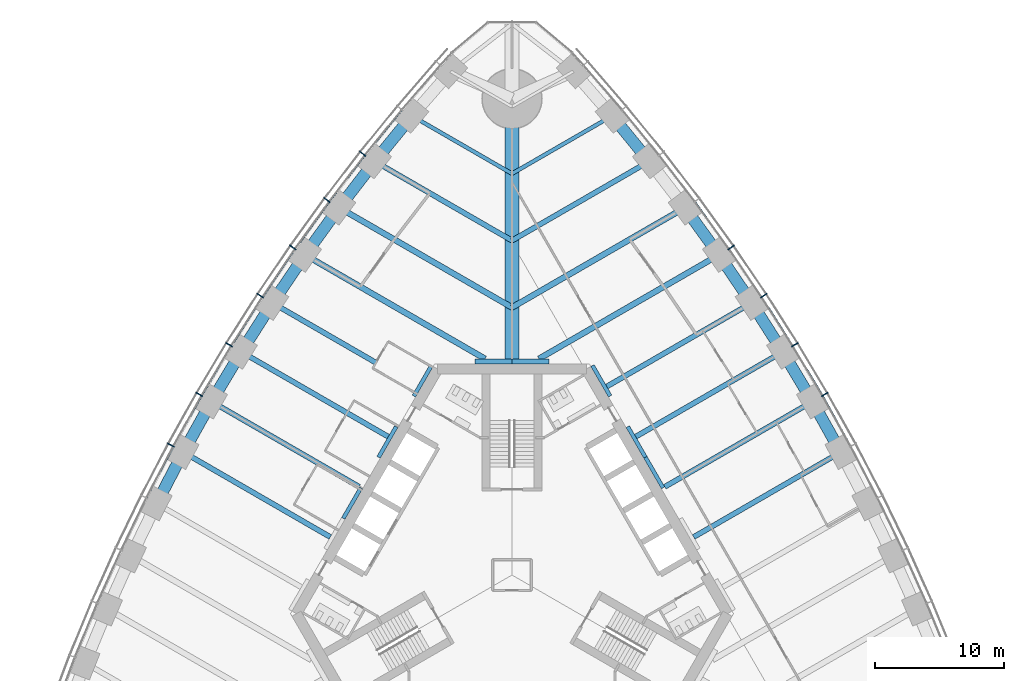
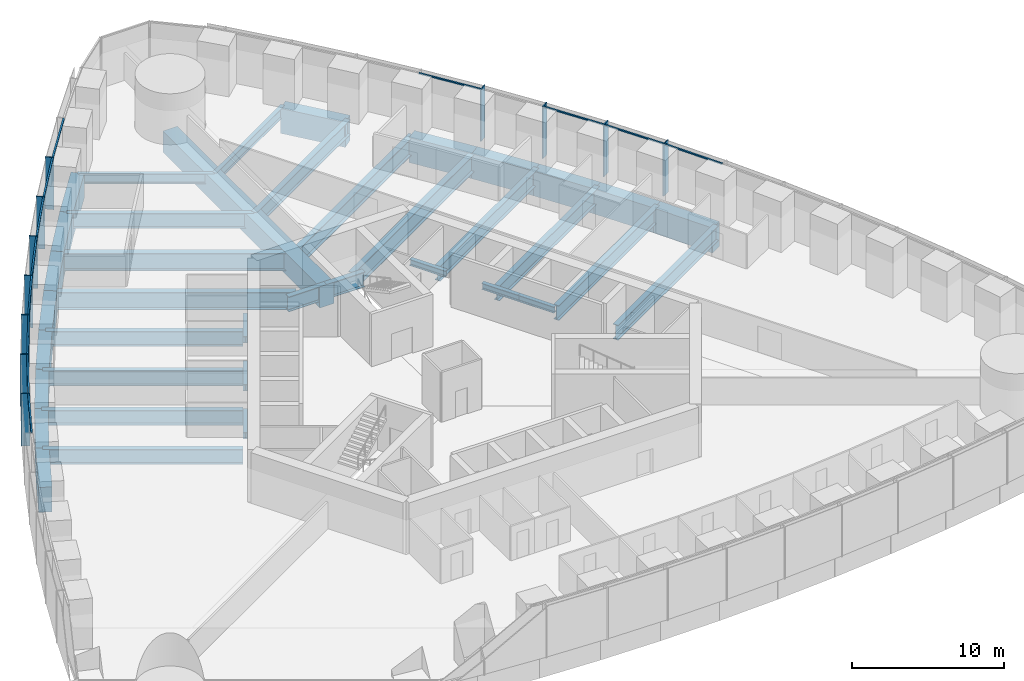
# One storey, part 4 of 18: 39 beams, 23 members, 2 elements without a shape of their own.
"""IFC4 building model written with IfcOpenShell, lengths in metres."""

from ifc_helpers import new_model, si_unit, direction, frame, origin, origin_2d, place, context, subcontext, project, spatial, rectangle, i_section, extrude, material, material_profile, profile_set, type_object, element, aggregate, save


model = new_model("IFC4")

# Units and contexts
model_context = context("Model", 3, precision=1e-05, world=origin(), true_north=direction((0.0, 1.0)))
body_context = subcontext(model_context, "Body", "Model", "MODEL_VIEW")
ifc_project = project(units=[si_unit("LENGTHUNIT", "METRE"), si_unit("AREAUNIT", "SQUARE_METRE"), si_unit("VOLUMEUNIT", "CUBIC_METRE"), si_unit("PLANEANGLEUNIT", "RADIAN"), si_unit("MASSUNIT", "GRAM", prefix="KILO")], contexts=[model_context])

# Site, building, storey
site_placement = place(None, origin())
site = spatial("IfcSite", under=ifc_project, at=site_placement, CompositionType="ELEMENT")
building_placement = place(site_placement, origin())
building = spatial("IfcBuilding", under=site, at=building_placement, Name="Trefoil Bronze Tower", CompositionType="ELEMENT")
storey_placement = place(building_placement, frame((0.0, 0.0, 66.89990234375)))
storey = spatial("IfcBuildingStorey", under=building, at=storey_placement, Name="L15", CompositionType="ELEMENT", Elevation=66.89990234375)

# Curtain wall, members
ifc_material_1 = material(Name="Tinted solar-control glass", Category="glass")
curtain_wall_type = type_object("IfcCurtainWallType", Name="Bronze office curtain wall", PredefinedType="USERDEFINED", material=ifc_material_1)
curtain_wall_1_placement = place(storey_placement, origin())
curtain_wall_1 = element("IfcCurtainWall", 1, at=curtain_wall_1_placement, inside=storey, type_object=curtain_wall_type, Name="CW-A L15 F2", ObjectType="CURTAIN WALL", PredefinedType="USERDEFINED")
ifc_material_2 = material(Name="Bronze-finish aluminium", Category="aluminium")
ifc_material_profile_1 = material_profile(ifc_material_2, rectangle(XDim=0.60009765625, YDim=0.080078125, at=origin_2d()), Name="CW-A mullion")
ifc_profile_set_1 = profile_set([ifc_material_profile_1], Name="Bronze-finish aluminium")
member_type_1 = type_object("IfcMemberType", Name="Bronze office curtain wall mullion", PredefinedType="MULLION", material=ifc_profile_set_1)
member_1_placement = place(storey_placement, frame((24.291015625, 14.0244140625, 0.0), z_axis=(0.0, 0.0, 1.0), x_axis=(-0.866025403784, -0.5, 0.0)))
member_1 = element("IfcMember", 2, at=member_1_placement, type_object=member_type_1, Name="CW-A L15 F2 mullion 9", PredefinedType="MULLION", context=body_context, shape_type="SweptSolid", body=[
    extrude(rectangle(XDim=0.60009765625, YDim=0.080078125, at=origin_2d()), origin(), (0.0, 0.0, 1.0), 4.18017578125),
])
member_2_placement = place(storey_placement, frame((21.97998046875, 17.896240234375, 0.0), z_axis=(0.0, 0.0, 1.0), x_axis=(-0.851149783004, -0.524922896141, 0.0)))
member_2 = element("IfcMember", 3, at=member_2_placement, type_object=member_type_1, Name="CW-A L15 F2 mullion 10", PredefinedType="MULLION", context=body_context, shape_type="SweptSolid", body=[
    extrude(rectangle(XDim=0.60009765625, YDim=0.080078125, at=origin_2d()), origin(), (0.0, 0.0, 1.0), 4.18017578125),
])
member_3_placement = place(storey_placement, frame((19.555419921875, 21.70263671875, 0.0), z_axis=(0.0, 0.0, 1.0), x_axis=(-0.835543651684, -0.549424067665, 0.0)))
member_3 = element("IfcMember", 4, at=member_3_placement, type_object=member_type_1, Name="CW-A L15 F2 mullion 11", PredefinedType="MULLION", context=body_context, shape_type="SweptSolid", body=[
    extrude(rectangle(XDim=0.60009765625, YDim=0.080078125, at=origin_2d()), origin(), (0.0, 0.0, 1.0), 4.18017578125),
])
member_4_placement = place(storey_placement, frame((17.01708984375, 25.443359375, 0.0), z_axis=(0.0, 0.0, 1.0), x_axis=(-0.819204207116, -0.573501932903, 0.0)))
member_4 = element("IfcMember", 5, at=member_4_placement, type_object=member_type_1, Name="CW-A L15 F2 mullion 12", PredefinedType="MULLION", context=body_context, shape_type="SweptSolid", body=[
    extrude(rectangle(XDim=0.60009765625, YDim=0.080078125, at=origin_2d()), origin(), (0.0, 0.0, 1.0), 4.18017578125),
])

curtain_wall_2_placement = place(storey_placement, origin())
curtain_wall_2 = element("IfcCurtainWall", 6, at=curtain_wall_2_placement, inside=storey, type_object=curtain_wall_type, Name="CW-A L15 F3", ObjectType="CURTAIN WALL", PredefinedType="USERDEFINED")
member_5_placement = place(storey_placement, frame((-11.595458984375, 32.7255859375, 0.0), z_axis=(0.0, 0.0, 1.0), x_axis=(0.784304615744, -0.620375910011, 0.0)))
member_5 = element("IfcMember", 7, at=member_5_placement, type_object=member_type_1, Name="CW-A L15 F3 mullion 4", PredefinedType="MULLION", context=body_context, shape_type="SweptSolid", body=[
    extrude(rectangle(XDim=0.60009765625, YDim=0.080078125, at=origin_2d()), origin(), (0.0, 0.0, 1.0), 4.18017578125),
])
member_6_placement = place(storey_placement, frame((-14.364013671875, 29.117919921875, 0.0), z_axis=(0.0, 0.0, 1.0), x_axis=(0.802126748469, -0.59715381552, 0.0)))
member_6 = element("IfcMember", 8, at=member_6_placement, type_object=member_type_1, Name="CW-A L15 F3 mullion 5", PredefinedType="MULLION", context=body_context, shape_type="SweptSolid", body=[
    extrude(rectangle(XDim=0.60009765625, YDim=0.080078125, at=origin_2d()), origin(), (0.0, 0.0, 1.0), 4.18017578125),
])
member_7_placement = place(storey_placement, frame((-17.01708984375, 25.443359375, 0.0), z_axis=(0.0, 0.0, 1.0), x_axis=(0.819204207116, -0.573501932903, 0.0)))
member_7 = element("IfcMember", 9, at=member_7_placement, type_object=member_type_1, Name="CW-A L15 F3 mullion 6", PredefinedType="MULLION", context=body_context, shape_type="SweptSolid", body=[
    extrude(rectangle(XDim=0.60009765625, YDim=0.080078125, at=origin_2d()), origin(), (0.0, 0.0, 1.0), 4.18017578125),
])
member_8_placement = place(storey_placement, frame((-19.555419921875, 21.70263671875, 0.0), z_axis=(0.0, 0.0, 1.0), x_axis=(0.835543651684, -0.549424067665, 0.0)))
member_8 = element("IfcMember", 10, at=member_8_placement, type_object=member_type_1, Name="CW-A L15 F3 mullion 7", PredefinedType="MULLION", context=body_context, shape_type="SweptSolid", body=[
    extrude(rectangle(XDim=0.60009765625, YDim=0.080078125, at=origin_2d()), origin(), (0.0, 0.0, 1.0), 4.18017578125),
])
member_9_placement = place(storey_placement, frame((-21.97998046875, 17.896240234375, 0.0), z_axis=(0.0, 0.0, 1.0), x_axis=(0.851149783004, -0.524922896141, 0.0)))
member_9 = element("IfcMember", 11, at=member_9_placement, type_object=member_type_1, Name="CW-A L15 F3 mullion 8", PredefinedType="MULLION", context=body_context, shape_type="SweptSolid", body=[
    extrude(rectangle(XDim=0.60009765625, YDim=0.080078125, at=origin_2d()), origin(), (0.0, 0.0, 1.0), 4.18017578125),
])
member_10_placement = place(storey_placement, frame((-24.291015625, 14.0244140625, 0.0), z_axis=(0.0, 0.0, 1.0), x_axis=(0.866025403784, -0.5, 0.0)))
member_10 = element("IfcMember", 12, at=member_10_placement, type_object=member_type_1, Name="CW-A L15 F3 mullion 9", PredefinedType="MULLION", context=body_context, shape_type="SweptSolid", body=[
    extrude(rectangle(XDim=0.60009765625, YDim=0.080078125, at=origin_2d()), origin(), (0.0, 0.0, 1.0), 4.18017578125),
])
member_11_placement = place(storey_placement, frame((-26.488525390625, 10.0869140625, 0.0), z_axis=(0.0, 0.0, 1.0), x_axis=(0.880171454588, -0.474655886437, 0.0)))
member_11 = element("IfcMember", 13, at=member_11_placement, type_object=member_type_1, Name="CW-A L15 F3 mullion 10", PredefinedType="MULLION", context=body_context, shape_type="SweptSolid", body=[
    extrude(rectangle(XDim=0.60009765625, YDim=0.080078125, at=origin_2d()), origin(), (0.0, 0.0, 1.0), 4.18017578125),
])

# Member
ifc_material_3 = material(Name="Bronze-finish aluminium", Category="aluminium")
ifc_material_profile_2 = material_profile(ifc_material_3, rectangle(XDim=0.1201171875, YDim=0.10009765625, at=origin_2d()), Name="CW-A transom")
ifc_profile_set_2 = profile_set([ifc_material_profile_2], Name="Bronze-finish aluminium")
member_type_2 = type_object("IfcMemberType", Name="Bronze office curtain wall transom", PredefinedType="USERDEFINED", material=ifc_profile_set_2)
member_12_placement = place(storey_placement, frame((26.29248046875, 10.0283203125, 4.130126953125), z_axis=(-0.487400435348, 0.873178570295, 0.0), x_axis=(-0.873178570295, -0.487400435348, 0.0)))
member_12 = element("IfcMember", 14, at=member_12_placement, type_object=member_type_2, Name="CW-A L15 F2 transom 8", ObjectType="TRANSOM", PredefinedType="USERDEFINED", context=body_context, shape_type="SweptSolid", body=[
    extrude(rectangle(XDim=0.1201171875, YDim=0.10009765625, at=origin_2d()), origin(), (0.0, 0.0, 1.0), 4.42041015625),
])

member_13_placement = place(storey_placement, frame((24.096435546875, 13.9599609375, 4.130126953125), z_axis=(-0.512536988879, 0.858665147209, 0.0), x_axis=(-0.858665147209, -0.512536988879, 0.0)))
member_13 = element("IfcMember", 15, at=member_13_placement, type_object=member_type_2, Name="CW-A L15 F2 transom 9", ObjectType="TRANSOM", PredefinedType="USERDEFINED", context=body_context, shape_type="SweptSolid", body=[
    extrude(rectangle(XDim=0.1201171875, YDim=0.10009765625, at=origin_2d()), origin(), (0.0, 0.0, 1.0), 4.42041015625),
])

member_14_placement = place(storey_placement, frame((21.787353515625, 17.826171875, 4.130126953125), z_axis=(-0.537196807268, 0.843456928515, 0.0), x_axis=(-0.843456928515, -0.537196807268, 0.0)))
member_14 = element("IfcMember", 16, at=member_14_placement, type_object=member_type_2, Name="CW-A L15 F2 transom 10", ObjectType="TRANSOM", PredefinedType="USERDEFINED", context=body_context, shape_type="SweptSolid", body=[
    extrude(rectangle(XDim=0.1201171875, YDim=0.10009765625, at=origin_2d()), origin(), (0.0, 0.0, 1.0), 4.42431640625),
])

member_15_placement = place(storey_placement, frame((16.828857421875, 25.3623046875, 4.130126953125), z_axis=(-0.585378207433, 0.81076035563, 0.0), x_axis=(-0.81076035563, -0.585378207433, 0.0)))
member_15 = element("IfcMember", 17, at=member_15_placement, type_object=member_type_2, Name="CW-A L15 F2 transom 12", ObjectType="TRANSOM", PredefinedType="USERDEFINED", context=body_context, shape_type="SweptSolid", body=[
    extrude(rectangle(XDim=0.1201171875, YDim=0.10009765625, at=origin_2d()), origin(), (0.0, 0.0, 1.0), 4.443359375),
])

aggregate(curtain_wall_1, [member_1, member_2, member_3, member_4, member_12, member_13, member_14, member_15])

member_16_placement = place(storey_placement, frame((-8.582763671875, 36.10498046875, 4.130126953125), z_axis=(-0.631835540201, -0.775102477185, 0.0), x_axis=(0.775102477185, -0.631835540201, 0.0)))
member_16 = element("IfcMember", 18, at=member_16_placement, type_object=member_type_2, Name="CW-A L15 F3 transom 3", ObjectType="TRANSOM", PredefinedType="USERDEFINED", context=body_context, shape_type="SweptSolid", body=[
    extrude(rectangle(XDim=0.1201171875, YDim=0.10009765625, at=origin_2d()), origin(), (0.0, 0.0, 1.0), 4.478271484375),
])

member_17_placement = place(storey_placement, frame((-11.4638671875, 32.568603515625, 4.130126953125), z_axis=(-0.608829203216, -0.793301330713, 0.0), x_axis=(0.793301330713, -0.608829203216, 0.0)))
member_17 = element("IfcMember", 19, at=member_17_placement, type_object=member_type_2, Name="CW-A L15 F3 transom 4", ObjectType="TRANSOM", PredefinedType="USERDEFINED", context=body_context, shape_type="SweptSolid", body=[
    extrude(rectangle(XDim=0.1201171875, YDim=0.10009765625, at=origin_2d()), origin(), (0.0, 0.0, 1.0), 4.458740234375),
])

member_18_placement = place(storey_placement, frame((-14.227783203125, 28.96484375, 4.130126953125), z_axis=(-0.585378207433, -0.81076035563, 0.0), x_axis=(0.81076035563, -0.585378207433, 0.0)))
member_18 = element("IfcMember", 20, at=member_18_placement, type_object=member_type_2, Name="CW-A L15 F3 transom 5", ObjectType="TRANSOM", PredefinedType="USERDEFINED", context=body_context, shape_type="SweptSolid", body=[
    extrude(rectangle(XDim=0.1201171875, YDim=0.10009765625, at=origin_2d()), origin(), (0.0, 0.0, 1.0), 4.443359375),
])

member_19_placement = place(storey_placement, frame((-16.87646484375, 25.29443359375, 4.130126953125), z_axis=(-0.561508153923, -0.827471203775, 0.0), x_axis=(0.827471203775, -0.561508153923, 0.0)))
member_19 = element("IfcMember", 21, at=member_19_placement, type_object=member_type_2, Name="CW-A L15 F3 transom 6", ObjectType="TRANSOM", PredefinedType="USERDEFINED", context=body_context, shape_type="SweptSolid", body=[
    extrude(rectangle(XDim=0.1201171875, YDim=0.10009765625, at=origin_2d()), origin(), (0.0, 0.0, 1.0), 4.431884765625),
])

member_20_placement = place(storey_placement, frame((-19.41064453125, 21.557861328125, 4.130126953125), z_axis=(-0.537196807268, -0.843456928515, 0.0), x_axis=(0.843456928515, -0.537196807268, 0.0)))
member_20 = element("IfcMember", 22, at=member_20_placement, type_object=member_type_2, Name="CW-A L15 F3 transom 7", ObjectType="TRANSOM", PredefinedType="USERDEFINED", context=body_context, shape_type="SweptSolid", body=[
    extrude(rectangle(XDim=0.1201171875, YDim=0.10009765625, at=origin_2d()), origin(), (0.0, 0.0, 1.0), 4.42431640625),
])

member_21_placement = place(storey_placement, frame((-21.830810546875, 17.755615234375, 4.130126953125), z_axis=(-0.512536988879, -0.858665147209, 0.0), x_axis=(0.858665147209, -0.512536988879, 0.0)))
member_21 = element("IfcMember", 23, at=member_21_placement, type_object=member_type_2, Name="CW-A L15 F3 transom 8", ObjectType="TRANSOM", PredefinedType="USERDEFINED", context=body_context, shape_type="SweptSolid", body=[
    extrude(rectangle(XDim=0.1201171875, YDim=0.10009765625, at=origin_2d()), origin(), (0.0, 0.0, 1.0), 4.42041015625),
])

member_22_placement = place(storey_placement, frame((-24.137939453125, 13.88818359375, 4.130126953125), z_axis=(-0.487400435348, -0.873178570295, 0.0), x_axis=(0.873178570295, -0.487400435348, 0.0)))
member_22 = element("IfcMember", 24, at=member_22_placement, type_object=member_type_2, Name="CW-A L15 F3 transom 9", ObjectType="TRANSOM", PredefinedType="USERDEFINED", context=body_context, shape_type="SweptSolid", body=[
    extrude(rectangle(XDim=0.1201171875, YDim=0.10009765625, at=origin_2d()), origin(), (0.0, 0.0, 1.0), 4.42041015625),
])

member_23_placement = place(storey_placement, frame((-26.331787109375, 9.955322265625, 4.130126953125), z_axis=(-0.461809621225, -0.886979071762, 0.0), x_axis=(0.886979071762, -0.461809621225, 0.0)))
member_23 = element("IfcMember", 25, at=member_23_placement, type_object=member_type_2, Name="CW-A L15 F3 transom 10", ObjectType="TRANSOM", PredefinedType="USERDEFINED", context=body_context, shape_type="SweptSolid", body=[
    extrude(rectangle(XDim=0.1201171875, YDim=0.10009765625, at=origin_2d()), origin(), (0.0, 0.0, 1.0), 4.42431640625),
])

aggregate(curtain_wall_2, [member_5, member_6, member_7, member_8, member_9, member_10, member_11, member_16, member_17, member_18, member_19, member_20, member_21, member_22, member_23])

# Beams
ifc_material_4 = material(Name="Steel C355", Category="steel")
ifc_material_profile_3 = material_profile(ifc_material_4, i_section(OverallWidth=0.300048828125, OverallDepth=0.5, WebThickness=0.014404296875, FlangeThickness=0.028076171875, FilletRadius=0.027099609375, at=origin_2d()), Name="HEB 500")
ifc_profile_set_3 = profile_set([ifc_material_profile_3], Name="Steel C355")
beam_type_1 = type_object("IfcBeamType", Name="Core seat beam HEB 500", PredefinedType="BEAM", material=ifc_profile_set_3)
for number, where, z_axis, x_axis, name in (
    (26, (11.734619140625, 6.77490234375, -0.449951171875), (-0.499969057507, 0.866043267704, 0.0), (-0.866043267704, -0.499969057507, 0.0), "Core seat beam F2/+0 L15"),
    (27, (10.363525390625, 9.14990234375, -0.449951171875), (-0.500035825175, 0.866004719122, 0.0), (-0.866004719122, -0.500035825175, 0.0), "Core seat beam F2/+1 L15"),
    (28, (7.62109375, 13.89990234375, -0.449951171875), (-0.500035825175, 0.866004719122, 0.0), (-0.866004719122, -0.500035825175, 0.0), "Core seat beam F2/+2 L15"),
    (29, (-6.249755859375, 16.27490234375, -0.449951171875), (-0.500035825175, -0.866004719122, 0.0), (0.866004719122, -0.500035825175, 0.0), "Core seat beam F3/-2 L15"),
    (30, (-8.9921875, 11.52490234375, -0.449951171875), (-0.500035825175, -0.866004719122, 0.0), (0.866004719122, -0.500035825175, 0.0), "Core seat beam F3/-1 L15"),
    (31, (-11.734619140625, 6.77490234375, -0.449951171875), (-0.500035825175, -0.866004719122, 0.0), (0.866004719122, -0.500035825175, 0.0), "Core seat beam F3/+0 L15"),
):
    element("IfcBeam", number, at=place(storey_placement, frame(where, z_axis=z_axis, x_axis=x_axis)), inside=storey, type_object=beam_type_1, Name=name, PredefinedType="BEAM", context=body_context, shape_type="SweptSolid", body=[
        extrude(i_section(OverallWidth=0.300048828125, OverallDepth=0.5, WebThickness=0.014404296875, FlangeThickness=0.028076171875, FilletRadius=0.027099609375, at=origin_2d()), origin(), (0.0, 0.0, 1.0), 2.742431640625),
    ])
ifc_material_5 = material(Name="Steel C355", Category="steel")
ifc_material_profile_4 = material_profile(ifc_material_5, i_section(OverallWidth=0.39990234375, OverallDepth=1.199951171875, WebThickness=0.02001953125, FlangeThickness=0.0400390625, FilletRadius=0.010009765625, at=origin_2d()), Name="WPG 1200")
ifc_profile_set_4 = profile_set([ifc_material_profile_4], Name="Steel C355")
beam_type_2 = type_object("IfcBeamType", Name="Core seat beam WPG 1200", PredefinedType="BEAM", material=ifc_profile_set_4)
for number, where, z_axis, x_axis, name in (
    (32, (2.88671875, 16.60009765625, -0.7998046875), (-1.0, 0.0, 0.0), (0.0, -1.0, 0.0), "Core seat beam F2/+3 L15"),
    (33, (0.0, 16.60009765625, -0.7998046875), (-1.0, 0.0, 0.0), (0.0, -1.0, 0.0), "Core seat beam F3/-3 L15"),
):
    element("IfcBeam", number, at=place(storey_placement, frame(where, z_axis=z_axis, x_axis=x_axis)), inside=storey, type_object=beam_type_2, Name=name, PredefinedType="BEAM", context=body_context, shape_type="SweptSolid", body=[
        extrude(i_section(OverallWidth=0.39990234375, OverallDepth=1.199951171875, WebThickness=0.02001953125, FlangeThickness=0.0400390625, FilletRadius=0.010009765625, at=origin_2d()), origin(), (0.0, 0.0, 1.0), 2.88671875),
    ])
ifc_material_6 = material(Name="Concrete B80", Category="concrete")
ifc_material_profile_5 = material_profile(ifc_material_6, rectangle(XDim=1.10009765625, YDim=1.699951171875, at=origin_2d()), Name="RC 1100x1700")
ifc_profile_set_5 = profile_set([ifc_material_profile_5], Name="Concrete B80")
beam_type_3 = type_object("IfcBeamType", Name="Corner girder RC 1100x1700", PredefinedType="BEAM", material=ifc_profile_set_5)
beam_1_placement = place(storey_placement, frame((0.0, 16.39990234375, -1.0498046875), z_axis=(0.0, 1.0, 0.0), x_axis=(-1.0, 0.0, 0.0)))
element("IfcBeam", 34, at=beam_1_placement, inside=storey, type_object=beam_type_3, Name="Corner girder K2 L15", PredefinedType="BEAM", context=body_context, shape_type="SweptSolid", body=[
    extrude(rectangle(XDim=1.10009765625, YDim=1.699951171875, at=origin_2d()), origin(), (0.0, 0.0, 1.0), 20.60009765625),
])
ifc_material_7 = material(Name="Steel C355", Category="steel")
ifc_material_profile_6 = material_profile(ifc_material_7, i_section(OverallWidth=0.300048828125, OverallDepth=0.800048828125, WebThickness=0.017578125, FlangeThickness=0.032958984375, FilletRadius=0.030029296875, at=origin_2d()), Name="HEB 800")
ifc_profile_set_6 = profile_set([ifc_material_profile_6], Name="Steel C355")
beam_type_4 = type_object("IfcBeamType", Name="Floor beam HEB 800", PredefinedType="BEAM", material=ifc_profile_set_6)
for number, where, z_axis, x_axis, name in (
    (35, (7.7763671875, 35.666748046875, -0.599853515625), (-0.866022587327, -0.500004878216, 0.0), (0.500004878216, -0.866022587327, 0.0), "Floor beam F2/+6 L15"),
    (36, (-7.7763671875, 35.666748046875, -0.599853515625), (0.866022587327, -0.500004878216, 0.0), (0.500004878216, 0.866022587327, 0.0), "Floor beam F3/-6 L15"),
):
    element("IfcBeam", number, at=place(storey_placement, frame(where, z_axis=z_axis, x_axis=x_axis)), inside=storey, type_object=beam_type_4, Name=name, PredefinedType="BEAM", context=body_context, shape_type="SweptSolid", body=[
        extrude(i_section(OverallWidth=0.300048828125, OverallDepth=0.800048828125, WebThickness=0.017578125, FlangeThickness=0.032958984375, FilletRadius=0.030029296875, at=origin_2d()), origin(), (0.0, 0.0, 1.0), 8.9794921875),
    ])
ifc_material_8 = material(Name="Steel C355", Category="steel")
ifc_material_profile_7 = material_profile(ifc_material_8, i_section(OverallWidth=0.39990234375, OverallDepth=1.199951171875, WebThickness=0.02001953125, FlangeThickness=0.0400390625, FilletRadius=0.010009765625, at=origin_2d()), Name="WPG 1200")
ifc_profile_set_7 = profile_set([ifc_material_profile_7], Name="Steel C355")
beam_type_5 = type_object("IfcBeamType", Name="Floor beam WPG 1200", PredefinedType="BEAM", material=ifc_profile_set_7)
beam_2_placement = place(storey_placement, frame((25.531494140625, 9.54443359375, -0.7998046875), z_axis=(-0.866027071639, -0.499997111179, 0.0), x_axis=(0.499997111179, -0.866027071639, 0.0)))
element("IfcBeam", 37, at=beam_2_placement, inside=storey, type_object=beam_type_5, Name="Floor beam F2/-1 L15", PredefinedType="BEAM", context=body_context, shape_type="SweptSolid", body=[
    extrude(i_section(OverallWidth=0.39990234375, OverallDepth=1.199951171875, WebThickness=0.02001953125, FlangeThickness=0.0400390625, FilletRadius=0.010009765625, at=origin_2d()), origin(), (0.0, 0.0, 1.0), 13.18310546875),
])
beam_3_placement = place(storey_placement, frame((23.33837890625, 13.474365234375, -0.7998046875), z_axis=(-0.866031233401, -0.499989902672, 0.0), x_axis=(0.499989902672, -0.866031233401, 0.0)))
element("IfcBeam", 38, at=beam_3_placement, inside=storey, type_object=beam_type_5, Name="Floor beam F2/+0 L15", PredefinedType="BEAM", context=body_context, shape_type="SweptSolid", body=[
    extrude(i_section(OverallWidth=0.39990234375, OverallDepth=1.199951171875, WebThickness=0.02001953125, FlangeThickness=0.0400390625, FilletRadius=0.010009765625, at=origin_2d()), origin(), (0.0, 0.0, 1.0), 13.248779296875),
])
beam_4_placement = place(storey_placement, frame((21.031494140625, 17.338623046875, -0.7998046875), z_axis=(-0.866027071639, -0.499997111179, 0.0), x_axis=(0.499997111179, -0.866027071639, 0.0)))
element("IfcBeam", 39, at=beam_4_placement, inside=storey, type_object=beam_type_5, Name="Floor beam F2/+1 L15", PredefinedType="BEAM", context=body_context, shape_type="SweptSolid", body=[
    extrude(i_section(OverallWidth=0.39990234375, OverallDepth=1.199951171875, WebThickness=0.02001953125, FlangeThickness=0.0400390625, FilletRadius=0.010009765625, at=origin_2d()), origin(), (0.0, 0.0, 1.0), 13.18310546875),
])
beam_5_placement = place(storey_placement, frame((18.61083984375, 21.13720703125, -0.7998046875), z_axis=(-0.866030615021, -0.499990973765, 0.0), x_axis=(0.499990973765, -0.866030615021, 0.0)))
element("IfcBeam", 40, at=beam_5_placement, inside=storey, type_object=beam_type_5, Name="Floor beam F2/+2 L15", PredefinedType="BEAM", context=body_context, shape_type="SweptSolid", body=[
    extrude(i_section(OverallWidth=0.39990234375, OverallDepth=1.199951171875, WebThickness=0.02001953125, FlangeThickness=0.0400390625, FilletRadius=0.010009765625, at=origin_2d()), origin(), (0.0, 0.0, 1.0), 12.986083984375),
])
for number, where, z_axis, x_axis, name in (
    (41, (10.659912109375, 32.13525390625, -0.7998046875), (-0.866024070878, -0.500002308654, 0.0), (0.500002308654, -0.866024070878, 0.0), "Floor beam F2/+5 L15"),
    (42, (-10.659912109375, 32.13525390625, -0.7998046875), (0.866024070878, -0.500002308654, 0.0), (0.500002308654, 0.866024070878, 0.0), "Floor beam F3/-5 L15"),
):
    element("IfcBeam", number, at=place(storey_placement, frame(where, z_axis=z_axis, x_axis=x_axis)), inside=storey, type_object=beam_type_5, Name=name, PredefinedType="BEAM", context=body_context, shape_type="SweptSolid", body=[
        extrude(i_section(OverallWidth=0.39990234375, OverallDepth=1.199951171875, WebThickness=0.02001953125, FlangeThickness=0.0400390625, FilletRadius=0.010009765625, at=origin_2d()), origin(), (0.0, 0.0, 1.0), 12.30908203125),
    ])
beam_6_placement = place(storey_placement, frame((-18.61083984375, 21.13720703125, -0.7998046875), z_axis=(0.866030615021, -0.499990973765, 0.0), x_axis=(0.499990973765, 0.866030615021, 0.0)))
element("IfcBeam", 43, at=beam_6_placement, inside=storey, type_object=beam_type_5, Name="Floor beam F3/-2 L15", PredefinedType="BEAM", context=body_context, shape_type="SweptSolid", body=[
    extrude(i_section(OverallWidth=0.39990234375, OverallDepth=1.199951171875, WebThickness=0.02001953125, FlangeThickness=0.0400390625, FilletRadius=0.010009765625, at=origin_2d()), origin(), (0.0, 0.0, 1.0), 12.986083984375),
])
beam_7_placement = place(storey_placement, frame((-21.031494140625, 17.338623046875, -0.7998046875), z_axis=(0.866027071639, -0.499997111179, 0.0), x_axis=(0.499997111179, 0.866027071639, 0.0)))
element("IfcBeam", 44, at=beam_7_placement, inside=storey, type_object=beam_type_5, Name="Floor beam F3/-1 L15", PredefinedType="BEAM", context=body_context, shape_type="SweptSolid", body=[
    extrude(i_section(OverallWidth=0.39990234375, OverallDepth=1.199951171875, WebThickness=0.02001953125, FlangeThickness=0.0400390625, FilletRadius=0.010009765625, at=origin_2d()), origin(), (0.0, 0.0, 1.0), 13.18310546875),
])
beam_8_placement = place(storey_placement, frame((-23.33837890625, 13.474365234375, -0.7998046875), z_axis=(0.866031233401, -0.499989902672, 0.0), x_axis=(0.499989902672, 0.866031233401, 0.0)))
element("IfcBeam", 45, at=beam_8_placement, inside=storey, type_object=beam_type_5, Name="Floor beam F3/+0 L15", PredefinedType="BEAM", context=body_context, shape_type="SweptSolid", body=[
    extrude(i_section(OverallWidth=0.39990234375, OverallDepth=1.199951171875, WebThickness=0.02001953125, FlangeThickness=0.0400390625, FilletRadius=0.010009765625, at=origin_2d()), origin(), (0.0, 0.0, 1.0), 13.248779296875),
])
beam_9_placement = place(storey_placement, frame((-25.531494140625, 9.54443359375, -0.7998046875), z_axis=(0.866027071639, -0.499997111179, 0.0), x_axis=(0.499997111179, 0.866027071639, 0.0)))
element("IfcBeam", 46, at=beam_9_placement, inside=storey, type_object=beam_type_5, Name="Floor beam F3/+1 L15", PredefinedType="BEAM", context=body_context, shape_type="SweptSolid", body=[
    extrude(i_section(OverallWidth=0.39990234375, OverallDepth=1.199951171875, WebThickness=0.02001953125, FlangeThickness=0.0400390625, FilletRadius=0.010009765625, at=origin_2d()), origin(), (0.0, 0.0, 1.0), 13.18310546875),
])
ifc_material_9 = material(Name="Steel C355", Category="steel")
ifc_material_profile_8 = material_profile(ifc_material_9, i_section(OverallWidth=0.449951171875, OverallDepth=1.39990234375, WebThickness=0.02294921875, FlangeThickness=0.044921875, FilletRadius=0.011962890625, at=origin_2d()), Name="WPG 1400")
ifc_profile_set_8 = profile_set([ifc_material_profile_8], Name="Steel C355")
beam_type_6 = type_object("IfcBeamType", Name="Floor beam WPG 1400", PredefinedType="BEAM", material=ifc_profile_set_8)
beam_10_placement = place(storey_placement, frame((16.075927734375, 24.869873046875, -0.89990234375), z_axis=(-0.866028401131, -0.499994808408, 0.0), x_axis=(0.499994808408, -0.866028401131, 0.0)))
element("IfcBeam", 47, at=beam_10_placement, inside=storey, type_object=beam_type_6, Name="Floor beam F2/+3 L15", PredefinedType="BEAM", context=body_context, shape_type="SweptSolid", body=[
    extrude(i_section(OverallWidth=0.449951171875, OverallDepth=1.39990234375, WebThickness=0.02294921875, FlangeThickness=0.044921875, FilletRadius=0.011962890625, at=origin_2d()), origin(), (0.0, 0.0, 1.0), 16.139892578125),
])
for number, where, z_axis, x_axis, name in (
    (48, (13.42578125, 28.5361328125, -0.89990234375), (-0.866022989816, -0.500004181093, 0.0), (0.500004181093, -0.866022989816, 0.0), "Floor beam F2/+4 L15"),
    (49, (-13.42578125, 28.5361328125, -0.89990234375), (0.866022989816, -0.500004181093, 0.0), (0.500004181093, 0.866022989816, 0.0), "Floor beam F3/-4 L15"),
):
    element("IfcBeam", number, at=place(storey_placement, frame(where, z_axis=z_axis, x_axis=x_axis)), inside=storey, type_object=beam_type_6, Name=name, PredefinedType="BEAM", context=body_context, shape_type="SweptSolid", body=[
        extrude(i_section(OverallWidth=0.449951171875, OverallDepth=1.39990234375, WebThickness=0.02294921875, FlangeThickness=0.044921875, FilletRadius=0.011962890625, at=origin_2d()), origin(), (0.0, 0.0, 1.0), 15.502685546875),
    ])
beam_11_placement = place(storey_placement, frame((-16.075927734375, 24.869873046875, -0.89990234375), z_axis=(0.866028401131, -0.499994808408, 0.0), x_axis=(0.499994808408, 0.866028401131, 0.0)))
element("IfcBeam", 50, at=beam_11_placement, inside=storey, type_object=beam_type_6, Name="Floor beam F3/-3 L15", PredefinedType="BEAM", context=body_context, shape_type="SweptSolid", body=[
    extrude(i_section(OverallWidth=0.449951171875, OverallDepth=1.39990234375, WebThickness=0.02294921875, FlangeThickness=0.044921875, FilletRadius=0.011962890625, at=origin_2d()), origin(), (0.0, 0.0, 1.0), 16.139892578125),
])
ifc_material_10 = material(Name="Concrete B80", Category="concrete")
ifc_material_profile_9 = material_profile(ifc_material_10, rectangle(XDim=0.89990234375, YDim=2.0, at=origin_2d()), Name="RC 900x2000")
ifc_profile_set_9 = profile_set([ifc_material_profile_9], Name="Concrete B80")
beam_type_7 = type_object("IfcBeamType", Name="Spandrel beam RC 900x2000", PredefinedType="SPANDREL", material=ifc_profile_set_9)
for number, where, z_axis, x_axis, name in (
    (51, (25.531494140625, 9.54443359375, -1.199951171875), (-0.487309404804, 0.873229376504, 0.0), (-0.873229376504, -0.487309404804, 0.0), "Spandrel F2.8 L15"),
    (52, (23.33837890625, 13.474365234375, -1.199951171875), (-0.512587831591, 0.858634797166, 0.0), (-0.858634797166, -0.512587831591, 0.0), "Spandrel F2.9 L15"),
):
    element("IfcBeam", number, at=place(storey_placement, frame(where, z_axis=z_axis, x_axis=x_axis)), inside=storey, type_object=beam_type_7, Name=name, PredefinedType="SPANDREL", context=body_context, shape_type="SweptSolid", body=[
        extrude(rectangle(XDim=0.89990234375, YDim=2.0, at=origin_2d()), origin(), (0.0, 0.0, 1.0), 4.50048828125),
    ])
beam_12_placement = place(storey_placement, frame((21.031494140625, 17.338623046875, -1.199951171875), z_axis=(-0.537408473305, 0.843322081307, 0.0), x_axis=(-0.843322081307, -0.537408473305, 0.0)))
element("IfcBeam", 53, at=beam_12_placement, inside=storey, type_object=beam_type_7, Name="Spandrel F2.10 L15", PredefinedType="SPANDREL", context=body_context, shape_type="SweptSolid", body=[
    extrude(rectangle(XDim=0.89990234375, YDim=2.0, at=origin_2d()), origin(), (0.0, 0.0, 1.0), 4.50439453125),
])
beam_13_placement = place(storey_placement, frame((18.61083984375, 21.13720703125, -1.199951171875), z_axis=(-0.561809680291, 0.827266512758, 0.0), x_axis=(-0.827266512758, -0.561809680291, 0.0)))
element("IfcBeam", 54, at=beam_13_placement, inside=storey, type_object=beam_type_7, Name="Spandrel F2.11 L15", PredefinedType="SPANDREL", context=body_context, shape_type="SweptSolid", body=[
    extrude(rectangle(XDim=0.89990234375, YDim=2.0, at=origin_2d()), origin(), (0.0, 0.0, 1.0), 4.511962890625),
])
beam_14_placement = place(storey_placement, frame((16.075927734375, 24.869873046875, -1.199951171875), z_axis=(-0.585823508301, 0.810438657223, 0.0), x_axis=(-0.810438657223, -0.585823508301, 0.0)))
element("IfcBeam", 55, at=beam_14_placement, inside=storey, type_object=beam_type_7, Name="Spandrel F2.12 L15", PredefinedType="SPANDREL", context=body_context, shape_type="SweptSolid", body=[
    extrude(rectangle(XDim=0.89990234375, YDim=2.0, at=origin_2d()), origin(), (0.0, 0.0, 1.0), 4.523681640625),
])
for number, where, z_axis, x_axis, name in (
    (56, (10.659912109375, 32.13525390625, -1.199951171875), (-0.632467643363, 0.774586780225, 0.0), (-0.774586780225, -0.632467643363, 0.0), "Spandrel F2.14 L15"),
    (57, (-7.7763671875, 35.666748046875, -1.199951171875), (-0.632467643363, -0.774586780225, 0.0), (0.774586780225, -0.632467643363, 0.0), "Spandrel F3.3 L15"),
):
    element("IfcBeam", number, at=place(storey_placement, frame(where, z_axis=z_axis, x_axis=x_axis)), inside=storey, type_object=beam_type_7, Name=name, PredefinedType="SPANDREL", context=body_context, shape_type="SweptSolid", body=[
        extrude(rectangle(XDim=0.89990234375, YDim=2.0, at=origin_2d()), origin(), (0.0, 0.0, 1.0), 4.55908203125),
    ])
beam_15_placement = place(storey_placement, frame((-10.659912109375, 32.13525390625, -1.199951171875), z_axis=(-0.609338992146, -0.792909826305, 0.0), x_axis=(0.792909826305, -0.609338992146, 0.0)))
element("IfcBeam", 58, at=beam_15_placement, inside=storey, type_object=beam_type_7, Name="Spandrel F3.4 L15", PredefinedType="SPANDREL", context=body_context, shape_type="SweptSolid", body=[
    extrude(rectangle(XDim=0.89990234375, YDim=2.0, at=origin_2d()), origin(), (0.0, 0.0, 1.0), 4.5390625),
])
beam_16_placement = place(storey_placement, frame((-13.42578125, 28.5361328125, -1.199951171875), z_axis=(-0.585823508301, -0.810438657223, 0.0), x_axis=(0.810438657223, -0.585823508301, 0.0)))
element("IfcBeam", 59, at=beam_16_placement, inside=storey, type_object=beam_type_7, Name="Spandrel F3.5 L15", PredefinedType="SPANDREL", context=body_context, shape_type="SweptSolid", body=[
    extrude(rectangle(XDim=0.89990234375, YDim=2.0, at=origin_2d()), origin(), (0.0, 0.0, 1.0), 4.523681640625),
])
beam_17_placement = place(storey_placement, frame((-16.075927734375, 24.869873046875, -1.199951171875), z_axis=(-0.561809680291, -0.827266512758, 0.0), x_axis=(0.827266512758, -0.561809680291, 0.0)))
element("IfcBeam", 60, at=beam_17_placement, inside=storey, type_object=beam_type_7, Name="Spandrel F3.6 L15", PredefinedType="SPANDREL", context=body_context, shape_type="SweptSolid", body=[
    extrude(rectangle(XDim=0.89990234375, YDim=2.0, at=origin_2d()), origin(), (0.0, 0.0, 1.0), 4.511962890625),
])
beam_18_placement = place(storey_placement, frame((-18.61083984375, 21.13720703125, -1.199951171875), z_axis=(-0.537408473305, -0.843322081307, 0.0), x_axis=(0.843322081307, -0.537408473305, 0.0)))
element("IfcBeam", 61, at=beam_18_placement, inside=storey, type_object=beam_type_7, Name="Spandrel F3.7 L15", PredefinedType="SPANDREL", context=body_context, shape_type="SweptSolid", body=[
    extrude(rectangle(XDim=0.89990234375, YDim=2.0, at=origin_2d()), origin(), (0.0, 0.0, 1.0), 4.50439453125),
])
for number, where, z_axis, x_axis, name in (
    (62, (-21.031494140625, 17.338623046875, -1.199951171875), (-0.512587831591, -0.858634797166, 0.0), (0.858634797166, -0.512587831591, 0.0), "Spandrel F3.8 L15"),
    (63, (-23.33837890625, 13.474365234375, -1.199951171875), (-0.487309404804, -0.873229376504, 0.0), (0.873229376504, -0.487309404804, 0.0), "Spandrel F3.9 L15"),
):
    element("IfcBeam", number, at=place(storey_placement, frame(where, z_axis=z_axis, x_axis=x_axis)), inside=storey, type_object=beam_type_7, Name=name, PredefinedType="SPANDREL", context=body_context, shape_type="SweptSolid", body=[
        extrude(rectangle(XDim=0.89990234375, YDim=2.0, at=origin_2d()), origin(), (0.0, 0.0, 1.0), 4.50048828125),
    ])
beam_19_placement = place(storey_placement, frame((-25.531494140625, 9.54443359375, -1.199951171875), z_axis=(-0.461637716615, -0.887068553495, 0.0), x_axis=(0.887068553495, -0.461637716615, 0.0)))
element("IfcBeam", 64, at=beam_19_placement, inside=storey, type_object=beam_type_7, Name="Spandrel F3.10 L15", PredefinedType="SPANDREL", context=body_context, shape_type="SweptSolid", body=[
    extrude(rectangle(XDim=0.89990234375, YDim=2.0, at=origin_2d()), origin(), (0.0, 0.0, 1.0), 4.50439453125),
])

save(model, "model.ifc")
